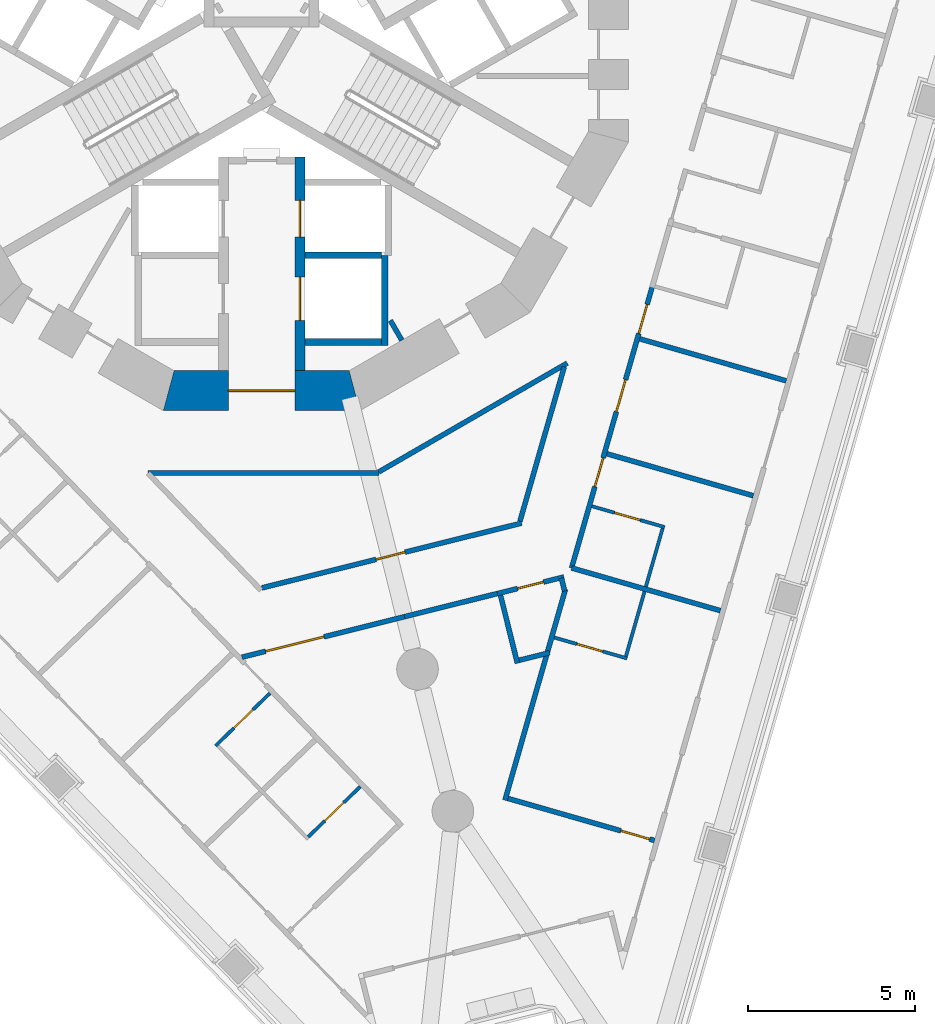
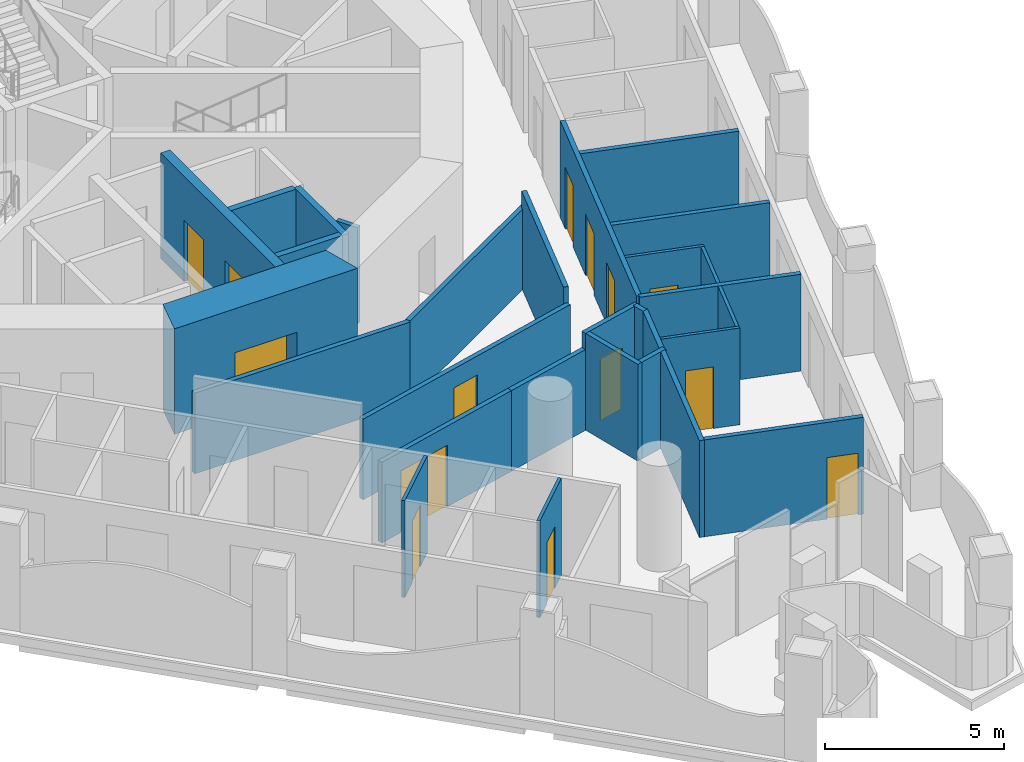
# One storey, part 4 of 19: 28 walls, 14 doors, 14 openings.
"""IFC4 building model written with IfcOpenShell, lengths in metres."""

from ifc_helpers import new_model, si_unit, direction, frame, frame_2d, origin, place, context, subcontext, project, spatial, polyline, rectangle, outline, extrude, material, layer, layer_set, type_object, element, fill, save


model = new_model("IFC4")

# Units and contexts
model_context = context("Model", 3, precision=1e-05, world=origin(), true_north=direction((0.0, 1.0)))
body_context = subcontext(model_context, "Body", "Model", "MODEL_VIEW")
ifc_project = project(units=[si_unit("LENGTHUNIT", "METRE"), si_unit("AREAUNIT", "SQUARE_METRE"), si_unit("VOLUMEUNIT", "CUBIC_METRE"), si_unit("PLANEANGLEUNIT", "RADIAN"), si_unit("MASSUNIT", "GRAM", prefix="KILO")], contexts=[model_context])

# Site, building, storey
site_placement = place(None, origin())
site = spatial("IfcSite", under=ifc_project, at=site_placement, CompositionType="ELEMENT")
building_placement = place(site_placement, origin())
building = spatial("IfcBuilding", under=site, at=building_placement, Name="Trine Commons Tower", CompositionType="ELEMENT")
storey_placement = place(building_placement, frame((0.0, 0.0, 98.10009765625)))
storey = spatial("IfcBuildingStorey", under=building, at=storey_placement, Name="L24", CompositionType="ELEMENT", Elevation=98.10009765625)

# Wall
ifc_material_1 = material(Name="Plasterboard partition on steel studs", Category="steel")
ifc_layer_1 = layer(ifc_material_1, 0.14990234375)
ifc_layer_set_1 = layer_set([ifc_layer_1], Name="Plasterboard partition on steel studs")
wall_type_1 = type_object("IfcWallType", Name="Core room partition 150 mm, EI 60", PredefinedType="PARTITIONING", material=ifc_layer_set_1)
wall_1_placement = place(storey_placement, frame((84.2099609375, 53.60205078125, 0.0), z_axis=(0.0, 0.0, 1.0), x_axis=(-0.500366091518, 0.865813937552, 0.0)))
element("IfcWall", 1, at=wall_1_placement, inside=storey, type_object=wall_type_1, Name="Core room partition L24", PredefinedType="PARTITIONING", context=body_context, shape_type="SweptSolid", body=[
    extrude(rectangle(XDim=0.689453125, YDim=0.14990234375, at=frame_2d((0.3447265625, 0.0))), origin(), (0.0, 0.0, 1.0), 3.2998046875),
])

# Wall, opening, door
ifc_material_2 = material(Name="Concrete C70/85", Category="concrete")
ifc_layer_2 = layer(ifc_material_2, 1.199951171875)
ifc_layer_set_2 = layer_set([ifc_layer_2], Name="Concrete C70/85")
wall_type_2 = type_object("IfcWallType", Name="RC shear wall 1200 mm, C70/85", PredefinedType="SHEAR", material=ifc_layer_set_2)
wall_2_placement = place(storey_placement, frame((77.049560546875, 52.08837890625, 0.0), z_axis=(0.0, 0.0, 1.0), x_axis=(1.0, 0.0, 0.0)))
wall_2 = element("IfcWall", 2, at=wall_2_placement, inside=storey, type_object=wall_type_2, Name="Core wall CWC-10 L24", PredefinedType="SHEAR", context=body_context, shape_type="SweptSolid", body=[
    extrude(outline(polyline([(0.0, -0.60009765625), (5.90087890625, -0.60009765625), (5.57958984375, 0.60009765625), (0.321533203125, 0.60009765625), (0.0, -0.60009765625)])), origin(), (0.0, 0.0, 1.0), 3.599853515625),
])
opening_1_placement = place(wall_2_placement, frame((1.950439453125, 0.0, 0.0)))
opening_1 = element("IfcOpeningElement", 3, at=opening_1_placement, cuts=wall_2, Name="Opening K07.08", PredefinedType="OPENING", context=body_context, shape_type="SweptSolid", body=[
    extrude(rectangle(XDim=2.0, YDim=2.10009765625, at=frame_2d((1.0, 1.050048828125))), frame((0.0, 0.60986328125, 0.0), z_axis=(0.0, -1.0, 0.0), x_axis=(1.0, 0.0, 0.0)), (0.0, 0.0, 1.0), 1.219970703125),
])
ifc_material_3 = material(Name="Steel door leaves, fire-rated", Category="steel")
door_type_1 = type_object("IfcDoorType", Name="Lobby door, double leaf 2000 x 2100, FD60", OperationType="DOUBLE_DOOR_SINGLE_SWING", PredefinedType="DOOR", material=ifc_material_3)
door_1_placement = place(opening_1_placement, origin())
door_1 = element("IfcDoor", 4, at=door_1_placement, inside=storey, type_object=door_type_1, Name="Lobby door, Service and firefighting lobby L24", OperationType="DOUBLE_DOOR_SINGLE_SWING", OverallHeight=2.10009765625, OverallWidth=2.0, PredefinedType="DOOR", context=body_context, shape_type="SweptSolid", body=[
    extrude(rectangle(XDim=2.0, YDim=2.10009765625, at=frame_2d((1.0, 1.050048828125))), frame((0.0, 0.02490234375, 0.0), z_axis=(0.0, -1.0, 0.0), x_axis=(1.0, 0.0, 0.0)), (0.0, 0.0, 1.0), 0.050048828125),
])
fill(opening_1, door_1)

# Wall, openings, doors
ifc_layer_3 = layer(ifc_material_2, 0.300048828125)
ifc_layer_set_3 = layer_set([ifc_layer_3], Name="Concrete C70/85")
wall_type_3 = type_object("IfcWallType", Name="RC shear wall 300 mm, C70/85", PredefinedType="SHEAR", material=ifc_layer_set_3)
wall_3_placement = place(storey_placement, frame((81.14990234375, 59.10009765625, 0.0), z_axis=(0.0, 0.0, 1.0), x_axis=(0.0, -1.0, 0.0)))
wall_3 = element("IfcWall", 5, at=wall_3_placement, inside=storey, type_object=wall_type_3, Name="Core cross wall SWA-04 L24", PredefinedType="SHEAR", context=body_context, shape_type="SweptSolid", body=[
    extrude(rectangle(XDim=6.412109375, YDim=0.300048828125, at=frame_2d((3.2060546875, 0.0))), origin(), (0.0, 0.0, 1.0), 3.599853515625),
])
opening_2_placement = place(wall_3_placement, frame((3.60009765625, 0.0, 0.0)))
opening_2 = element("IfcOpeningElement", 6, at=opening_2_placement, cuts=wall_3, Name="Opening LD11", PredefinedType="OPENING", context=body_context, shape_type="SweptSolid", body=[
    extrude(rectangle(XDim=1.300048828125, YDim=2.10009765625, at=frame_2d((0.64990234375, 1.050048828125))), frame((0.0, 0.159912109375, 0.0), z_axis=(0.0, -1.0, 0.0), x_axis=(1.0, 0.0, 0.0)), (0.0, 0.0, 1.0), 0.320068359375),
])
opening_3_placement = place(wall_3_placement, frame((1.300048828125, 0.0, 0.0)))
opening_3 = element("IfcOpeningElement", 7, at=opening_3_placement, cuts=wall_3, Name="Opening LD9", PredefinedType="OPENING", context=body_context, shape_type="SweptSolid", body=[
    extrude(rectangle(XDim=1.10009765625, YDim=2.10009765625, at=frame_2d((0.550048828125, 1.050048828125))), frame((0.0, 0.159912109375, 0.0), z_axis=(0.0, -1.0, 0.0), x_axis=(1.0, 0.0, 0.0)), (0.0, 0.0, 1.0), 0.320068359375),
])
ifc_material_4 = material(Name="Stainless steel sliding door leaves", Category="steel")
door_type_2 = type_object("IfcDoorType", Name="Lift landing door, centre-opening sliding 1100 x 2100, FD90", OperationType="DOUBLE_DOOR_SLIDING", PredefinedType="DOOR", material=ifc_material_4)
door_2_placement = place(opening_3_placement, origin())
door_2 = element("IfcDoor", 8, at=door_2_placement, inside=storey, type_object=door_type_2, Name="Lift landing door FF1 L24", OperationType="DOUBLE_DOOR_SLIDING", OverallHeight=2.10009765625, OverallWidth=1.10009765625, PredefinedType="DOOR", context=body_context, shape_type="SweptSolid", body=[
    extrude(rectangle(XDim=1.10009765625, YDim=2.10009765625, at=frame_2d((0.550048828125, 1.050048828125))), frame((0.0, 0.02490234375, 0.0), z_axis=(0.0, -1.0, 0.0), x_axis=(1.0, 0.0, 0.0)), (0.0, 0.0, 1.0), 0.050048828125),
])
fill(opening_3, door_2)
door_type_3 = type_object("IfcDoorType", Name="Lift landing door, centre-opening sliding 1300 x 2100, FD90", OperationType="DOUBLE_DOOR_SLIDING", PredefinedType="DOOR", material=ifc_material_4)
door_3_placement = place(opening_2_placement, origin())
door_3 = element("IfcDoor", 9, at=door_3_placement, inside=storey, type_object=door_type_3, Name="Lift landing door G1 L24", OperationType="DOUBLE_DOOR_SLIDING", OverallHeight=2.10009765625, OverallWidth=1.300048828125, PredefinedType="DOOR", context=body_context, shape_type="SweptSolid", body=[
    extrude(rectangle(XDim=1.300048828125, YDim=2.10009765625, at=frame_2d((0.64990234375, 1.050048828125))), frame((0.0, 0.02490234375, 0.0), z_axis=(0.0, -1.0, 0.0), x_axis=(1.0, 0.0, 0.0)), (0.0, 0.0, 1.0), 0.050048828125),
])
fill(opening_2, door_3)

# Walls
ifc_material_5 = material(Name="Fire-rated gypsum shaft wall system")
ifc_layer_4 = layer(ifc_material_5, 0.199951171875)
ifc_layer_set_4 = layer_set([ifc_layer_4], Name="Fire-rated gypsum shaft wall system")
wall_type_4 = type_object("IfcWallType", Name="Shaft wall 200 mm, EI 120", PredefinedType="PARTITIONING", material=ifc_layer_set_4)
for number, where, z_axis, x_axis, name in (
    (10, (81.300048828125, 53.550048828125, 0.0), (0.0, 0.0, 1.0), (1.0, 0.0, 0.0), "Shaft wall L24"),
    (11, (81.300048828125, 56.14990234375, 0.0), (0.0, 0.0, 1.0), (1.0, 0.0, 0.0), "Shaft wall L24"),
):
    element("IfcWall", number, at=place(storey_placement, frame(where, z_axis=z_axis, x_axis=x_axis)), inside=storey, type_object=wall_type_4, Name=name, PredefinedType="PARTITIONING", context=body_context, shape_type="SweptSolid", body=[
        extrude(rectangle(XDim=2.300048828125, YDim=0.199951171875, at=frame_2d((1.14990234375, 0.0))), origin(), (0.0, 0.0, 1.0), 3.2998046875),
    ])
wall_4_placement = place(storey_placement, frame((83.699951171875, 56.14990234375, 0.0), z_axis=(0.0, 0.0, 1.0), x_axis=(0.0, -1.0, 0.0)))
element("IfcWall", 12, at=wall_4_placement, inside=storey, type_object=wall_type_4, Name="Shaft wall L24", PredefinedType="PARTITIONING", context=body_context, shape_type="SweptSolid", body=[
    extrude(rectangle(XDim=2.699951171875, YDim=0.199951171875, at=frame_2d((1.35009765625, 0.0))), origin(), (0.0, 0.0, 1.0), 3.2998046875),
])
ifc_material_6 = material(Name="Gypsum plasterboard on steel stud", Category="steel")
ifc_layer_5 = layer(ifc_material_6, 0.14990234375)
ifc_layer_set_5 = layer_set([ifc_layer_5], Name="Gypsum plasterboard on steel stud")
wall_type_5 = type_object("IfcWallType", Name="Unit and corridor wall 150 mm, EI 60", PredefinedType="PARTITIONING", material=ifc_layer_set_5)
wall_5_placement = place(storey_placement, frame((76.583984375, 49.613037109375, 0.0), z_axis=(0.0, 0.0, 1.0), x_axis=(1.0, 0.0, 0.0)))
element("IfcWall", 13, at=wall_5_placement, inside=storey, type_object=wall_type_5, Name="Partition 060", PredefinedType="PARTITIONING", context=body_context, shape_type="SweptSolid", body=[
    extrude(rectangle(XDim=6.944091796875, YDim=0.14990234375, at=frame_2d((3.47216796875, 0.0))), origin(), (0.0, 0.0, 1.0), 2.75),
])

# Wall, opening, door
wall_6_placement = place(storey_placement, frame((79.40869140625, 44.087158203125, 0.0), z_axis=(0.0, 0.0, 1.0), x_axis=(0.970285120957, 0.241964427241, 0.0)))
wall_6 = element("IfcWall", 14, at=wall_6_placement, inside=storey, type_object=wall_type_5, Name="Partition 072", PredefinedType="PARTITIONING", context=body_context, shape_type="SweptSolid", body=[
    extrude(rectangle(XDim=5.02880859375, YDim=0.14990234375, at=frame_2d((2.514404296875, 0.0))), origin(), (0.0, 0.0, 1.0), 2.75),
])
opening_4_placement = place(wall_6_placement, frame((0.735595703125, 0.0, 0.0)))
opening_4 = element("IfcOpeningElement", 15, at=opening_4_placement, cuts=wall_6, Name="Opening D-3B02", PredefinedType="OPENING", context=body_context, shape_type="SweptSolid", body=[
    extrude(rectangle(XDim=1.800048828125, YDim=2.10009765625, at=frame_2d((0.89990234375, 1.050048828125))), frame((0.0, 0.0849609375, 0.0), z_axis=(0.0, -1.0, 0.0), x_axis=(1.0, 0.0, 0.0)), (0.0, 0.0, 1.0), 0.169921875),
])
ifc_material_7 = material(Name="Timber fire door set", Category="wood")
door_type_4 = type_object("IfcDoorType", Name="Cluster entrance door 1800 x 2100, double leaf, FD30S", OperationType="DOUBLE_DOOR_DOUBLE_SWING", PredefinedType="DOOR", material=ifc_material_7)
door_4_placement = place(opening_4_placement, frame((1.800048828125, 0.0, 0.0), z_axis=(0.0, 0.0, 1.0), x_axis=(-1.0, 0.0, 0.0)))
door_4 = element("IfcDoor", 16, at=door_4_placement, inside=storey, type_object=door_type_4, Name="Door D-3B02", OperationType="DOUBLE_DOOR_DOUBLE_SWING", OverallHeight=2.10009765625, OverallWidth=1.800048828125, PredefinedType="DOOR", context=body_context, shape_type="SweptSolid", body=[
    extrude(rectangle(XDim=1.800048828125, YDim=2.10009765625, at=frame_2d((0.89990234375, 1.050048828125))), frame((0.0, 0.02490234375, 0.0), z_axis=(0.0, -1.0, 0.0), x_axis=(1.0, 0.0, 0.0)), (0.0, 0.0, 1.0), 0.050048828125),
])
fill(opening_4, door_4)

wall_7_placement = place(storey_placement, frame((80.005859375, 46.168212890625, 0.0), z_axis=(0.0, 0.0, 1.0), x_axis=(0.970272737209, 0.242014081056, 0.0)))
wall_7 = element("IfcWall", 17, at=wall_7_placement, inside=storey, type_object=wall_type_5, Name="Partition 074", PredefinedType="PARTITIONING", context=body_context, shape_type="SweptSolid", body=[
    extrude(rectangle(XDim=8.041015625, YDim=0.14990234375, at=frame_2d((4.0205078125, 0.0))), origin(), (0.0, 0.0, 1.0), 2.75),
])
opening_5_placement = place(wall_7_placement, frame((3.532958984375, 0.0, 0.0)))
opening_5 = element("IfcOpeningElement", 18, at=opening_5_placement, cuts=wall_7, Name="Opening D-3B36", PredefinedType="OPENING", context=body_context, shape_type="SweptSolid", body=[
    extrude(rectangle(XDim=0.89990234375, YDim=2.10009765625, at=frame_2d((0.449951171875, 1.050048828125))), frame((0.0, 0.0849609375, 0.0), z_axis=(0.0, -1.0, 0.0), x_axis=(1.0, 0.0, 0.0)), (0.0, 0.0, 1.0), 0.169921875),
])
door_type_5 = type_object("IfcDoorType", Name="Service door 900 x 2100, FD30S", OperationType="NOTDEFINED", PredefinedType="DOOR", material=ifc_material_7)
door_5_placement = place(opening_5_placement, origin())
door_5 = element("IfcDoor", 19, at=door_5_placement, inside=storey, type_object=door_type_5, Name="Door D-3B36", OperationType="SINGLE_SWING_LEFT", OverallHeight=2.10009765625, OverallWidth=0.89990234375, PredefinedType="DOOR", context=body_context, shape_type="SweptSolid", body=[
    extrude(rectangle(XDim=0.89990234375, YDim=2.10009765625, at=frame_2d((0.449951171875, 1.050048828125))), frame((0.0, 0.02490234375, 0.0), z_axis=(0.0, -1.0, 0.0), x_axis=(1.0, 0.0, 0.0)), (0.0, 0.0, 1.0), 0.050048828125),
])
fill(opening_5, door_5)

# Walls
wall_8_placement = place(storey_placement, frame((83.51806640625, 49.650390625, 0.0), z_axis=(0.0, 0.0, 1.0), x_axis=(0.866021893259, 0.50000608036, 0.0)))
element("IfcWall", 20, at=wall_8_placement, inside=storey, type_object=wall_type_5, Name="Partition 083", PredefinedType="PARTITIONING", context=body_context, shape_type="SweptSolid", body=[
    extrude(rectangle(XDim=6.5322265625, YDim=0.14990234375, at=frame_2d((3.26611328125, 0.0))), origin(), (0.0, 0.0, 1.0), 2.75),
])
wall_9_placement = place(storey_placement, frame((84.2880859375, 45.303955078125, 0.0), z_axis=(0.0, 0.0, 1.0), x_axis=(0.970312264522, 0.241855554658, 0.0)))
element("IfcWall", 21, at=wall_9_placement, inside=storey, type_object=wall_type_5, Name="Partition 087", PredefinedType="PARTITIONING", context=body_context, shape_type="SweptSolid", body=[
    extrude(rectangle(XDim=2.956787109375, YDim=0.14990234375, at=frame_2d((1.478515625, 0.0))), origin(), (0.0, 0.0, 1.0), 2.75),
])

# Wall, opening, door
wall_10_placement = place(storey_placement, frame((87.076171875, 45.998779296875, 0.0), z_axis=(0.0, 0.0, 1.0), x_axis=(0.970351527821, 0.241697977766, 0.0)))
wall_10 = element("IfcWall", 22, at=wall_10_placement, inside=storey, type_object=wall_type_5, Name="Partition 092", PredefinedType="PARTITIONING", context=body_context, shape_type="SweptSolid", body=[
    extrude(rectangle(XDim=2.0576171875, YDim=0.14990234375, at=frame_2d((1.02880859375, 0.0))), origin(), (0.0, 0.0, 1.0), 3.2998046875),
])
opening_6_placement = place(wall_10_placement, frame((0.62890625, 0.0, 0.0)))
opening_6 = element("IfcOpeningElement", 23, at=opening_6_placement, cuts=wall_10, Name="Opening D-3B05", PredefinedType="OPENING", context=body_context, shape_type="SweptSolid", body=[
    extrude(rectangle(XDim=0.800048828125, YDim=2.10009765625, at=frame_2d((0.39990234375, 1.050048828125))), frame((0.0, 0.0849609375, 0.0), z_axis=(0.0, -1.0, 0.0), x_axis=(1.0, 0.0, 0.0)), (0.0, 0.0, 1.0), 0.169921875),
])
ifc_material_8 = material(Name="Painted timber", Category="wood")
door_type_6 = type_object("IfcDoorType", Name="Toilet door 800 x 2100, NOT RATED", OperationType="NOTDEFINED", PredefinedType="DOOR", material=ifc_material_8)
door_6_placement = place(opening_6_placement, frame((0.800048828125, 0.0, 0.0), z_axis=(0.0, 0.0, 1.0), x_axis=(-1.0, 0.0, 0.0)))
door_6 = element("IfcDoor", 24, at=door_6_placement, inside=storey, type_object=door_type_6, Name="Door D-3B05", OperationType="SINGLE_SWING_LEFT", OverallHeight=2.10009765625, OverallWidth=0.800048828125, PredefinedType="DOOR", context=body_context, shape_type="SweptSolid", body=[
    extrude(rectangle(XDim=0.800048828125, YDim=2.10009765625, at=frame_2d((0.39990234375, 1.050048828125))), frame((0.0, 0.02490234375, 0.0), z_axis=(0.0, -1.0, 0.0), x_axis=(1.0, 0.0, 0.0)), (0.0, 0.0, 1.0), 0.050048828125),
])
fill(opening_6, door_6)

# Walls
wall_11_placement = place(storey_placement, frame((87.171142578125, 45.9453125, 0.0), z_axis=(0.0, 0.0, 1.0), x_axis=(0.241879199479, -0.970306370617, 0.0)))
element("IfcWall", 25, at=wall_11_placement, inside=storey, type_object=wall_type_5, Name="Partition 093", PredefinedType="PARTITIONING", context=body_context, shape_type="SweptSolid", body=[
    extrude(rectangle(XDim=2.100341796875, YDim=0.14990234375, at=frame_2d((1.05029296875, 0.0))), origin(), (0.0, 0.0, 1.0), 3.2998046875),
])
wall_12_placement = place(storey_placement, frame((87.306396484375, 39.7958984375, 0.0), z_axis=(0.0, 0.0, 1.0), x_axis=(0.275518807658, 0.961295681165, 0.0)))
element("IfcWall", 26, at=wall_12_placement, inside=storey, type_object=wall_type_5, Name="Partition 094", PredefinedType="PARTITIONING", context=body_context, shape_type="SweptSolid", body=[
    extrude(rectangle(XDim=6.588134765625, YDim=0.14990234375, at=frame_2d((3.2939453125, 0.0))), origin(), (0.0, 0.0, 1.0), 3.2998046875),
])

# Wall, opening, door
wall_13_placement = place(storey_placement, frame((87.399169921875, 39.847412109375, 0.0), z_axis=(0.0, 0.0, 1.0), x_axis=(0.961251469363, -0.275673017626, 0.0)))
wall_13 = element("IfcWall", 27, at=wall_13_placement, inside=storey, type_object=wall_type_5, Name="Partition 095", PredefinedType="PARTITIONING", context=body_context, shape_type="SweptSolid", body=[
    extrude(rectangle(XDim=4.572509765625, YDim=0.14990234375, at=frame_2d((2.2861328125, 0.0))), origin(), (0.0, 0.0, 1.0), 3.2998046875),
])
opening_7_placement = place(wall_13_placement, frame((3.522705078125, 0.0, 0.0)))
opening_7 = element("IfcOpeningElement", 28, at=opening_7_placement, cuts=wall_13, Name="Opening D-3B25", PredefinedType="OPENING", context=body_context, shape_type="SweptSolid", body=[
    extrude(rectangle(XDim=0.89990234375, YDim=2.10009765625, at=frame_2d((0.449951171875, 1.050048828125))), frame((0.0, 0.0849609375, 0.0), z_axis=(0.0, -1.0, 0.0), x_axis=(1.0, 0.0, 0.0)), (0.0, 0.0, 1.0), 0.169921875),
])
door_type_7 = type_object("IfcDoorType", Name="Bedroom door 900 x 2100, FD30S", OperationType="NOTDEFINED", PredefinedType="DOOR", material=ifc_material_7)
door_7_placement = place(opening_7_placement, origin())
door_7 = element("IfcDoor", 29, at=door_7_placement, inside=storey, type_object=door_type_7, Name="Door D-3B25", OperationType="SINGLE_SWING_RIGHT", OverallHeight=2.10009765625, OverallWidth=0.89990234375, PredefinedType="DOOR", context=body_context, shape_type="SweptSolid", body=[
    extrude(rectangle(XDim=0.89990234375, YDim=2.10009765625, at=frame_2d((0.449951171875, 1.050048828125))), frame((0.0, 0.02490234375, 0.0), z_axis=(0.0, -1.0, 0.0), x_axis=(1.0, 0.0, 0.0)), (0.0, 0.0, 1.0), 0.050048828125),
])
fill(opening_7, door_7)

# Walls
wall_14_placement = place(storey_placement, frame((87.73388671875, 43.998291015625, 0.0), z_axis=(0.0, 0.0, 1.0), x_axis=(0.970310725512, 0.241861729005, 0.0)))
element("IfcWall", 30, at=wall_14_placement, inside=storey, type_object=wall_type_5, Name="Partition 097", PredefinedType="PARTITIONING", context=body_context, shape_type="SweptSolid", body=[
    extrude(rectangle(XDim=0.937744140625, YDim=0.14990234375, at=frame_2d((0.46875, 0.0))), origin(), (0.0, 0.0, 1.0), 3.2998046875),
])
wall_15_placement = place(storey_placement, frame((87.755615234375, 48.168212890625, 0.0), z_axis=(0.0, 0.0, 1.0), x_axis=(0.275589878427, 0.961275308592, 0.0)))
element("IfcWall", 31, at=wall_15_placement, inside=storey, type_object=wall_type_5, Name="Partition 098", PredefinedType="PARTITIONING", context=body_context, shape_type="SweptSolid", body=[
    extrude(rectangle(XDim=4.824462890625, YDim=0.14990234375, at=frame_2d((2.412109375, 0.0))), origin(), (0.0, 0.0, 1.0), 3.2998046875),
])
wall_16_placement = place(storey_placement, frame((89.0, 46.461669921875, 0.0), z_axis=(0.0, 0.0, 1.0), x_axis=(0.242248462582, -0.970214245606, 0.0)))
element("IfcWall", 32, at=wall_16_placement, inside=storey, type_object=wall_type_5, Name="Partition 104", PredefinedType="PARTITIONING", context=body_context, shape_type="SweptSolid", body=[
    extrude(rectangle(XDim=0.400146484375, YDim=0.14990234375, at=frame_2d((0.2001953125, 0.0))), origin(), (0.0, 0.0, 1.0), 3.2998046875),
])

# Wall, openings, doors
wall_17_placement = place(storey_placement, frame((89.303955078125, 46.762939453125, 0.0), z_axis=(0.0, 0.0, 1.0), x_axis=(0.275663916699, 0.961254079331, 0.0)))
wall_17 = element("IfcWall", 33, at=wall_17_placement, inside=storey, type_object=wall_type_5, Name="Partition 105", PredefinedType="PARTITIONING", context=body_context, shape_type="SweptSolid", body=[
    extrude(rectangle(XDim=8.82275390625, YDim=0.14990234375, at=frame_2d((4.411376953125, 0.0))), origin(), (0.0, 0.0, 1.0), 3.2998046875),
])
opening_8_placement = place(wall_17_placement, frame((7.330078125, 0.0, 0.0)))
opening_8 = element("IfcOpeningElement", 34, at=opening_8_placement, cuts=wall_17, Name="Opening D-3B22", PredefinedType="OPENING", context=body_context, shape_type="SweptSolid", body=[
    extrude(rectangle(XDim=0.89990234375, YDim=2.10009765625, at=frame_2d((0.449951171875, 1.050048828125))), frame((0.0, 0.0849609375, 0.0), z_axis=(0.0, -1.0, 0.0), x_axis=(1.0, 0.0, 0.0)), (0.0, 0.0, 1.0), 0.169921875),
])
opening_9_placement = place(wall_17_placement, frame((4.885986328125, 0.0, 0.0)))
opening_9 = element("IfcOpeningElement", 35, at=opening_9_placement, cuts=wall_17, Name="Opening D-3B23", PredefinedType="OPENING", context=body_context, shape_type="SweptSolid", body=[
    extrude(rectangle(XDim=1.0, YDim=2.10009765625, at=frame_2d((0.5, 1.050048828125))), frame((0.0, 0.0849609375, 0.0), z_axis=(0.0, -1.0, 0.0), x_axis=(1.0, 0.0, 0.0)), (0.0, 0.0, 1.0), 0.169921875),
])
opening_10_placement = place(wall_17_placement, frame((2.5419921875, 0.0, 0.0)))
opening_10 = element("IfcOpeningElement", 36, at=opening_10_placement, cuts=wall_17, Name="Opening D-3B24", PredefinedType="OPENING", context=body_context, shape_type="SweptSolid", body=[
    extrude(rectangle(XDim=0.89990234375, YDim=2.10009765625, at=frame_2d((0.449951171875, 1.050048828125))), frame((0.0, 0.0849609375, 0.0), z_axis=(0.0, -1.0, 0.0), x_axis=(1.0, 0.0, 0.0)), (0.0, 0.0, 1.0), 0.169921875),
])
door_type_8 = type_object("IfcDoorType", Name="Amenity room door 1000 x 2100, NOT RATED", OperationType="NOTDEFINED", PredefinedType="DOOR", material=ifc_material_8)
door_8_placement = place(opening_9_placement, frame((1.0, 0.0, 0.0), z_axis=(0.0, 0.0, 1.0), x_axis=(-1.0, 0.0, 0.0)))
door_8 = element("IfcDoor", 37, at=door_8_placement, inside=storey, type_object=door_type_8, Name="Door D-3B23", OperationType="SINGLE_SWING_LEFT", OverallHeight=2.10009765625, OverallWidth=1.0, PredefinedType="DOOR", context=body_context, shape_type="SweptSolid", body=[
    extrude(rectangle(XDim=1.0, YDim=2.10009765625, at=frame_2d((0.5, 1.050048828125))), frame((0.0, 0.02490234375, 0.0), z_axis=(0.0, -1.0, 0.0), x_axis=(1.0, 0.0, 0.0)), (0.0, 0.0, 1.0), 0.050048828125),
])
fill(opening_9, door_8)
door_9_placement = place(opening_8_placement, frame((0.89990234375, 0.0, 0.0), z_axis=(0.0, 0.0, 1.0), x_axis=(-1.0, 0.0, 0.0)))
door_9 = element("IfcDoor", 38, at=door_9_placement, inside=storey, type_object=door_type_7, Name="Door D-3B22", OperationType="SINGLE_SWING_LEFT", OverallHeight=2.10009765625, OverallWidth=0.89990234375, PredefinedType="DOOR", context=body_context, shape_type="SweptSolid", body=[
    extrude(rectangle(XDim=0.89990234375, YDim=2.10009765625, at=frame_2d((0.449951171875, 1.050048828125))), frame((0.0, 0.02490234375, 0.0), z_axis=(0.0, -1.0, 0.0), x_axis=(1.0, 0.0, 0.0)), (0.0, 0.0, 1.0), 0.050048828125),
])
fill(opening_8, door_9)
door_10_placement = place(opening_10_placement, frame((0.89990234375, 0.0, 0.0), z_axis=(0.0, 0.0, 1.0), x_axis=(-1.0, 0.0, 0.0)))
door_10 = element("IfcDoor", 39, at=door_10_placement, inside=storey, type_object=door_type_7, Name="Door D-3B24", OperationType="SINGLE_SWING_RIGHT", OverallHeight=2.10009765625, OverallWidth=0.89990234375, PredefinedType="DOOR", context=body_context, shape_type="SweptSolid", body=[
    extrude(rectangle(XDim=0.89990234375, YDim=2.10009765625, at=frame_2d((0.449951171875, 1.050048828125))), frame((0.0, 0.02490234375, 0.0), z_axis=(0.0, -1.0, 0.0), x_axis=(1.0, 0.0, 0.0)), (0.0, 0.0, 1.0), 0.050048828125),
])
fill(opening_10, door_10)

# Walls
wall_18_placement = place(storey_placement, frame((89.304931640625, 46.76708984375, 0.0), z_axis=(0.0, 0.0, 1.0), x_axis=(0.961263836782, -0.275629889699, 0.0)))
element("IfcWall", 40, at=wall_18_placement, inside=storey, type_object=wall_type_5, Name="Partition 106", PredefinedType="PARTITIONING", context=body_context, shape_type="SweptSolid", body=[
    extrude(rectangle(XDim=4.6474609375, YDim=0.14990234375, at=frame_2d((2.32373046875, 0.0))), origin(), (0.0, 0.0, 1.0), 3.2998046875),
])
wall_19_placement = place(storey_placement, frame((90.3662109375, 50.1953125, 0.0), z_axis=(0.0, 0.0, 1.0), x_axis=(0.961265617229, -0.275623680283, 0.0)))
element("IfcWall", 41, at=wall_19_placement, inside=storey, type_object=wall_type_5, Name="Partition 113", PredefinedType="PARTITIONING", context=body_context, shape_type="SweptSolid", body=[
    extrude(rectangle(XDim=4.572265625, YDim=0.14990234375, at=frame_2d((2.2861328125, 0.0))), origin(), (0.0, 0.0, 1.0), 3.2998046875),
])
wall_20_placement = place(storey_placement, frame((91.35498046875, 53.644287109375, 0.0), z_axis=(0.0, 0.0, 1.0), x_axis=(0.961269673231, -0.275609534171, 0.0)))
element("IfcWall", 42, at=wall_20_placement, inside=storey, type_object=wall_type_5, Name="Partition 116", PredefinedType="PARTITIONING", context=body_context, shape_type="SweptSolid", body=[
    extrude(rectangle(XDim=4.572509765625, YDim=0.14990234375, at=frame_2d((2.2861328125, 0.0))), origin(), (0.0, 0.0, 1.0), 3.2998046875),
])

# Wall, opening, door
ifc_layer_6 = layer(ifc_material_6, 0.10009765625)
ifc_layer_set_6 = layer_set([ifc_layer_6], Name="Gypsum plasterboard on steel stud")
wall_type_6 = type_object("IfcWallType", Name="Unit partition 100 mm, no rating", PredefinedType="PARTITIONING", material=ifc_layer_set_6)
wall_21_placement = place(storey_placement, frame((78.617919921875, 41.42919921875, 0.0), z_axis=(0.0, 0.0, 1.0), x_axis=(0.719181392624, 0.69482236903, 0.0)))
wall_21 = element("IfcWall", 43, at=wall_21_placement, inside=storey, type_object=wall_type_6, Name="Partition 070", PredefinedType="PARTITIONING", context=body_context, shape_type="SweptSolid", body=[
    extrude(rectangle(XDim=2.275146484375, YDim=0.10009765625, at=frame_2d((1.1376953125, 0.0))), origin(), (0.0, 0.0, 1.0), 3.2998046875),
])
opening_11_placement = place(wall_21_placement, frame((0.762451171875, 0.0, 0.0)))
opening_11 = element("IfcOpeningElement", 44, at=opening_11_placement, cuts=wall_21, Name="Opening D-3B59", PredefinedType="OPENING", context=body_context, shape_type="SweptSolid", body=[
    extrude(rectangle(XDim=0.800048828125, YDim=2.10009765625, at=frame_2d((0.39990234375, 1.050048828125))), frame((0.0, 0.06005859375, 0.0), z_axis=(0.0, -1.0, 0.0), x_axis=(1.0, 0.0, 0.0)), (0.0, 0.0, 1.0), 0.1201171875),
])
door_type_9 = type_object("IfcDoorType", Name="Internal door 800 x 2100, NOT RATED", OperationType="NOTDEFINED", PredefinedType="DOOR", material=ifc_material_8)
door_11_placement = place(opening_11_placement, origin())
door_11 = element("IfcDoor", 45, at=door_11_placement, inside=storey, type_object=door_type_9, Name="Door D-3B59", OperationType="SINGLE_SWING_RIGHT", OverallHeight=2.10009765625, OverallWidth=0.800048828125, PredefinedType="DOOR", context=body_context, shape_type="SweptSolid", body=[
    extrude(rectangle(XDim=0.800048828125, YDim=2.10009765625, at=frame_2d((0.39990234375, 1.050048828125))), frame((0.0, 0.02490234375, 0.0), z_axis=(0.0, -1.0, 0.0), x_axis=(1.0, 0.0, 0.0)), (0.0, 0.0, 1.0), 0.050048828125),
])
fill(opening_11, door_11)

wall_22_placement = place(storey_placement, frame((81.39892578125, 38.693603515625, 0.0), z_axis=(0.0, 0.0, 1.0), x_axis=(0.71918093231, 0.694822845481, 0.0)))
wall_22 = element("IfcWall", 46, at=wall_22_placement, inside=storey, type_object=wall_type_6, Name="Partition 079", PredefinedType="PARTITIONING", context=body_context, shape_type="SweptSolid", body=[
    extrude(rectangle(XDim=2.175048828125, YDim=0.10009765625, at=frame_2d((1.08740234375, 0.0))), origin(), (0.0, 0.0, 1.0), 3.2998046875),
])
opening_12_placement = place(wall_22_placement, frame((0.6875, 0.0, 0.0)))
opening_12 = element("IfcOpeningElement", 47, at=opening_12_placement, cuts=wall_22, Name="Opening D-3B58", PredefinedType="OPENING", context=body_context, shape_type="SweptSolid", body=[
    extrude(rectangle(XDim=0.800048828125, YDim=2.10009765625, at=frame_2d((0.39990234375, 1.050048828125))), frame((0.0, 0.06005859375, 0.0), z_axis=(0.0, -1.0, 0.0), x_axis=(1.0, 0.0, 0.0)), (0.0, 0.0, 1.0), 0.1201171875),
])
door_12_placement = place(opening_12_placement, frame((0.800048828125, 0.0, 0.0), z_axis=(0.0, 0.0, 1.0), x_axis=(-1.0, 0.0, 0.0)))
door_12 = element("IfcDoor", 48, at=door_12_placement, inside=storey, type_object=door_type_9, Name="Door D-3B58", OperationType="SINGLE_SWING_RIGHT", OverallHeight=2.10009765625, OverallWidth=0.800048828125, PredefinedType="DOOR", context=body_context, shape_type="SweptSolid", body=[
    extrude(rectangle(XDim=0.800048828125, YDim=2.10009765625, at=frame_2d((0.39990234375, 1.050048828125))), frame((0.0, 0.02490234375, 0.0), z_axis=(0.0, -1.0, 0.0), x_axis=(1.0, 0.0, 0.0)), (0.0, 0.0, 1.0), 0.050048828125),
])
fill(opening_12, door_12)

wall_23_placement = place(storey_placement, frame((88.7841796875, 44.67919921875, 0.0), z_axis=(0.0, 0.0, 1.0), x_axis=(0.961280606162, -0.275571399489, 0.0)))
wall_23 = element("IfcWall", 49, at=wall_23_placement, inside=storey, type_object=wall_type_6, Name="Partition 102", PredefinedType="PARTITIONING", context=body_context, shape_type="SweptSolid", body=[
    extrude(rectangle(XDim=2.275146484375, YDim=0.10009765625, at=frame_2d((1.1376953125, 0.0))), origin(), (0.0, 0.0, 1.0), 3.2998046875),
])
opening_13_placement = place(wall_23_placement, frame((0.71240234375, 0.0, 0.0)))
opening_13 = element("IfcOpeningElement", 50, at=opening_13_placement, cuts=wall_23, Name="Opening D-3B57", PredefinedType="OPENING", context=body_context, shape_type="SweptSolid", body=[
    extrude(rectangle(XDim=0.800048828125, YDim=2.10009765625, at=frame_2d((0.39990234375, 1.050048828125))), frame((0.0, 0.06005859375, 0.0), z_axis=(0.0, -1.0, 0.0), x_axis=(1.0, 0.0, 0.0)), (0.0, 0.0, 1.0), 0.1201171875),
])
door_13_placement = place(opening_13_placement, frame((0.800048828125, 0.0, 0.0), z_axis=(0.0, 0.0, 1.0), x_axis=(-1.0, 0.0, 0.0)))
door_13 = element("IfcDoor", 51, at=door_13_placement, inside=storey, type_object=door_type_9, Name="Door D-3B57", OperationType="SINGLE_SWING_RIGHT", OverallHeight=2.10009765625, OverallWidth=0.800048828125, PredefinedType="DOOR", context=body_context, shape_type="SweptSolid", body=[
    extrude(rectangle(XDim=0.800048828125, YDim=2.10009765625, at=frame_2d((0.39990234375, 1.050048828125))), frame((0.0, 0.02490234375, 0.0), z_axis=(0.0, -1.0, 0.0), x_axis=(1.0, 0.0, 0.0)), (0.0, 0.0, 1.0), 0.050048828125),
])
fill(opening_13, door_13)

wall_24_placement = place(storey_placement, frame((89.9140625, 48.620361328125, 0.0), z_axis=(0.0, 0.0, 1.0), x_axis=(0.961252175385, -0.275670555767, 0.0)))
wall_24 = element("IfcWall", 52, at=wall_24_placement, inside=storey, type_object=wall_type_6, Name="Partition 111", PredefinedType="PARTITIONING", context=body_context, shape_type="SweptSolid", body=[
    extrude(rectangle(XDim=2.275146484375, YDim=0.10009765625, at=frame_2d((1.1376953125, 0.0))), origin(), (0.0, 0.0, 1.0), 3.2998046875),
])
opening_14_placement = place(wall_24_placement, frame((0.71240234375, 0.0, 0.0)))
opening_14 = element("IfcOpeningElement", 53, at=opening_14_placement, cuts=wall_24, Name="Opening D-3B56", PredefinedType="OPENING", context=body_context, shape_type="SweptSolid", body=[
    extrude(rectangle(XDim=0.800048828125, YDim=2.10009765625, at=frame_2d((0.39990234375, 1.050048828125))), frame((0.0, 0.06005859375, 0.0), z_axis=(0.0, -1.0, 0.0), x_axis=(1.0, 0.0, 0.0)), (0.0, 0.0, 1.0), 0.1201171875),
])
door_14_placement = place(opening_14_placement, origin())
door_14 = element("IfcDoor", 54, at=door_14_placement, inside=storey, type_object=door_type_9, Name="Door D-3B56", OperationType="SINGLE_SWING_LEFT", OverallHeight=2.10009765625, OverallWidth=0.800048828125, PredefinedType="DOOR", context=body_context, shape_type="SweptSolid", body=[
    extrude(rectangle(XDim=0.800048828125, YDim=2.10009765625, at=frame_2d((0.39990234375, 1.050048828125))), frame((0.0, 0.02490234375, 0.0), z_axis=(0.0, -1.0, 0.0), x_axis=(1.0, 0.0, 0.0)), (0.0, 0.0, 1.0), 0.050048828125),
])
fill(opening_14, door_14)

# Walls
wall_25_placement = place(storey_placement, frame((90.936767578125, 44.114013671875, 0.0), z_axis=(0.0, 0.0, 1.0), x_axis=(0.275803571023, 0.961214018942, 0.0)))
element("IfcWall", 55, at=wall_25_placement, inside=storey, type_object=wall_type_6, Name="Partition 115", PredefinedType="PARTITIONING", context=body_context, shape_type="SweptSolid", body=[
    extrude(rectangle(XDim=2.025390625, YDim=0.10009765625, at=frame_2d((1.0126953125, 0.0))), origin(), (0.0, 0.0, 1.0), 3.2998046875),
])
wall_26_placement = place(storey_placement, frame((91.53662109375, 46.205078125, 0.0), z_axis=(0.0, 0.0, 1.0), x_axis=(0.275516324204, 0.961296392949, 0.0)))
element("IfcWall", 56, at=wall_26_placement, inside=storey, type_object=wall_type_6, Name="Partition 117", PredefinedType="PARTITIONING", context=body_context, shape_type="SweptSolid", body=[
    extrude(rectangle(XDim=1.824462890625, YDim=0.10009765625, at=frame_2d((0.912109375, 0.0))), origin(), (0.0, 0.0, 1.0), 3.2998046875),
])

save(model, "model.ifc")
